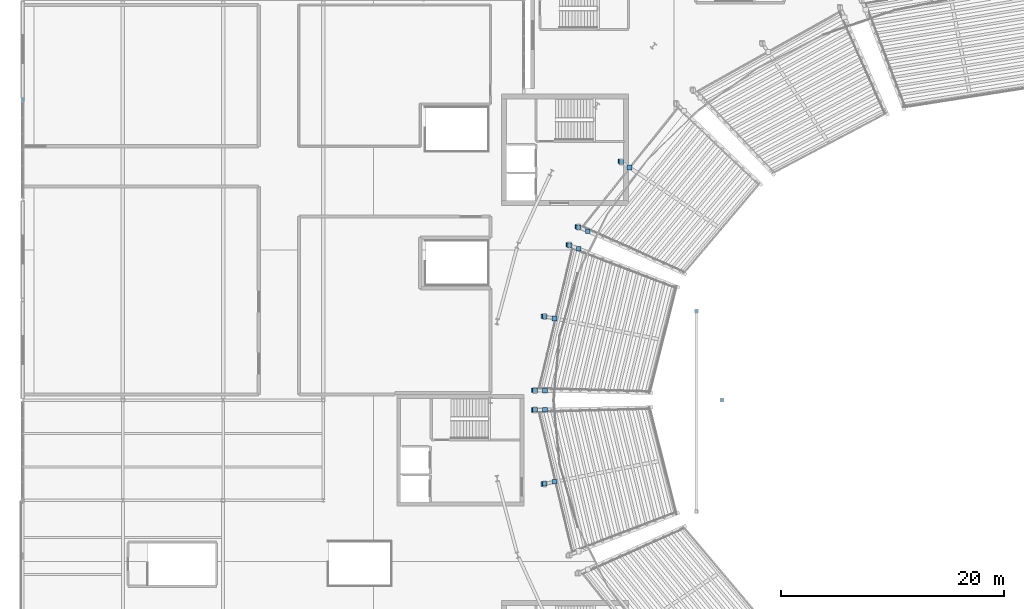
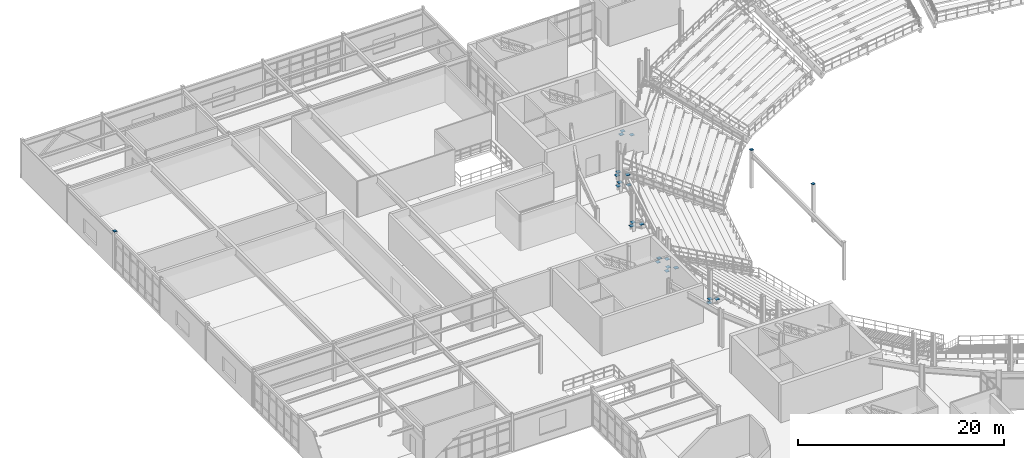
# One storey, part 67 of 81: 24 discrete accessories.
"""IFC4 building model written with IfcOpenShell, lengths in metres."""

from ifc_helpers import new_model, si_unit, direction, frame, origin, origin_2d, place, context, subcontext, project, spatial, rectangle, extrude, material, type_object, element, save


model = new_model("IFC4")

# Units and contexts
model_context = context("Model", 3, precision=1e-05, world=origin(), true_north=direction((0.0, 1.0)))
body_context = subcontext(model_context, "Body", "Model", "MODEL_VIEW")
ifc_project = project(units=[si_unit("LENGTHUNIT", "METRE"), si_unit("AREAUNIT", "SQUARE_METRE"), si_unit("VOLUMEUNIT", "CUBIC_METRE"), si_unit("PLANEANGLEUNIT", "RADIAN"), si_unit("MASSUNIT", "GRAM", prefix="KILO")], contexts=[model_context])

# Site, building, storey
site_placement = place(None, origin())
site = spatial("IfcSite", under=ifc_project, at=site_placement, CompositionType="ELEMENT")
building_placement = place(site_placement, origin())
building = spatial("IfcBuilding", under=site, at=building_placement, Name="Glasvene Arena", CompositionType="ELEMENT")
storey_placement = place(building_placement, frame((0.0, 0.0, 15.0)))
storey = spatial("IfcBuildingStorey", under=building, at=storey_placement, Name="L03", CompositionType="ELEMENT", Elevation=15.0)

# Discrete accessories
ifc_material = material(Name="Steel S355J2", Category="steel")
discrete_accessory_type_1 = type_object("IfcDiscreteAccessoryType", Name="ACC-BRACE-GP20", PredefinedType="BRACKET", material=ifc_material)
for number, where, z_axis, x_axis, name in (
    (1, (53.75244140625, 94.389404296875, 0.93408203125), (0.0, 0.0, 1.0), (1.0, 0.0, 0.0), "Cast-in raker and haunch embed plate 07-2-1"),
    (2, (54.500732421875, 93.889404296875, 0.52880859375), (0.0, 0.0, 1.0), (1.0, 0.0, 0.0), "Cast-in raker and haunch embed plate 07-2-2"),
    (3, (53.652587890625, 94.456298828125, 0.52880859375), (0.0, 0.0, 1.0), (1.0, 0.0, 0.0), "Cast-in raker and haunch embed plate 07-2-3"),
    (4, (49.911865234375, 88.53662109375, 0.994140625), (0.0, 0.0, 1.0), (1.0, 0.0, 0.0), "Cast-in raker and haunch embed plate 07-3-1"),
    (5, (50.7353515625, 88.17333984375, 0.5888671875), (0.0, 0.0, 1.0), (1.0, 0.0, 0.0), "Cast-in raker and haunch embed plate 07-3-2"),
    (6, (49.802001953125, 88.5849609375, 0.5888671875), (0.0, 0.0, 1.0), (1.0, 0.0, 0.0), "Cast-in raker and haunch embed plate 07-3-3"),
    (7, (49.113037109375, 86.922607421875, 0.994140625), (0.0, 0.0, 1.0), (1.0, 0.0, 0.0), "Cast-in raker and haunch embed plate 08-1-1"),
    (8, (49.9521484375, 86.596923828125, 0.5888671875), (0.0, 0.0, 1.0), (1.0, 0.0, 0.0), "Cast-in raker and haunch embed plate 08-1-2"),
    (9, (49.001220703125, 86.9658203125, 0.5888671875), (0.0, 0.0, 1.0), (1.0, 0.0, 0.0), "Cast-in raker and haunch embed plate 08-1-3"),
    (10, (46.8837890625, 80.510986328125, 0.93408203125), (0.0, 0.0, 1.0), (1.0, 0.0, 0.0), "Cast-in raker and haunch embed plate 08-2-1"),
    (11, (47.7666015625, 80.33544921875, 0.52880859375), (0.0, 0.0, 1.0), (1.0, 0.0, 0.0), "Cast-in raker and haunch embed plate 08-2-2"),
    (12, (46.76611328125, 80.534423828125, 0.52880859375), (0.0, 0.0, 1.0), (1.0, 0.0, 0.0), "Cast-in raker and haunch embed plate 08-2-3"),
    (13, (46.01171875, 73.87353515625, 0.994140625), (0.0, 0.0, 1.0), (1.0, 0.0, 0.0), "Cast-in raker and haunch embed plate 08-3-1"),
    (14, (46.91162109375, 73.85302734375, 0.5888671875), (0.0, 0.0, 1.0), (1.0, 0.0, 0.0), "Cast-in raker and haunch embed plate 08-3-2"),
    (15, (45.891845703125, 73.876220703125, 0.5888671875), (0.0, 0.0, 1.0), (1.0, 0.0, 0.0), "Cast-in raker and haunch embed plate 08-3-3"),
    (16, (46.01171875, 72.12646484375, 0.994140625), (0.0, 0.0, 1.0), (1.0, 0.0, 0.0), "Cast-in raker and haunch embed plate 09-1-1"),
    (17, (46.91162109375, 72.14697265625, 0.5888671875), (0.0, 0.0, 1.0), (1.0, 0.0, 0.0), "Cast-in raker and haunch embed plate 09-1-2"),
    (18, (45.891845703125, 72.123779296875, 0.5888671875), (0.0, 0.0, 1.0), (1.0, 0.0, 0.0), "Cast-in raker and haunch embed plate 09-1-3"),
    (19, (46.8837890625, 65.489013671875, 0.93408203125), (0.0, 0.0, 1.0), (1.0, 0.0, 0.0), "Cast-in raker and haunch embed plate 09-2-1"),
    (20, (47.7666015625, 65.66455078125, 0.52880859375), (0.0, 0.0, 1.0), (1.0, 0.0, 0.0), "Cast-in raker and haunch embed plate 09-2-2"),
    (21, (46.76611328125, 65.465576171875, 0.52880859375), (0.0, 0.0, 1.0), (1.0, 0.0, 0.0), "Cast-in raker and haunch embed plate 09-2-3"),
):
    element("IfcDiscreteAccessory", number, at=place(storey_placement, frame(where, z_axis=z_axis, x_axis=x_axis)), inside=storey, type_object=discrete_accessory_type_1, Name=name, PredefinedType="BRACKET", context=body_context, shape_type="SweptSolid", body=[
        extrude(rectangle(XDim=0.419921875, YDim=0.419921875, at=origin_2d()), origin(), (0.0, 0.0, 1.0), 0.031982421875),
    ])
discrete_accessory_type_2 = type_object("IfcDiscreteAccessoryType", Name="ACC-CAP-SHS320", PredefinedType="USERDEFINED", material=ifc_material)
for number, where, z_axis, x_axis, name in (
    (22, (0.0, 100.0, 4.498046875), (0.0, 0.0, 1.0), (1.0, 0.0, 0.0), "Hollow column top cap plate 1-12 L03"),
    (23, (60.5, 81.0, 4.498046875), (0.0, 0.0, 1.0), (1.0, 0.0, 0.0), "Hollow column top cap plate S33-2"),
    (24, (62.800048828125, 73.0, 4.498046875), (0.0, 0.0, 1.0), (1.0, 0.0, 0.0), "Hollow column top cap plate S33-3"),
):
    element("IfcDiscreteAccessory", number, at=place(storey_placement, frame(where, z_axis=z_axis, x_axis=x_axis)), inside=storey, type_object=discrete_accessory_type_2, Name=name, ObjectType="CAP PLATE", PredefinedType="USERDEFINED", context=body_context, shape_type="SweptSolid", body=[
        extrude(rectangle(XDim=0.320068359375, YDim=0.320068359375, at=origin_2d()), origin(), (0.0, 0.0, 1.0), 0.02001953125),
    ])

save(model, "model.ifc")
